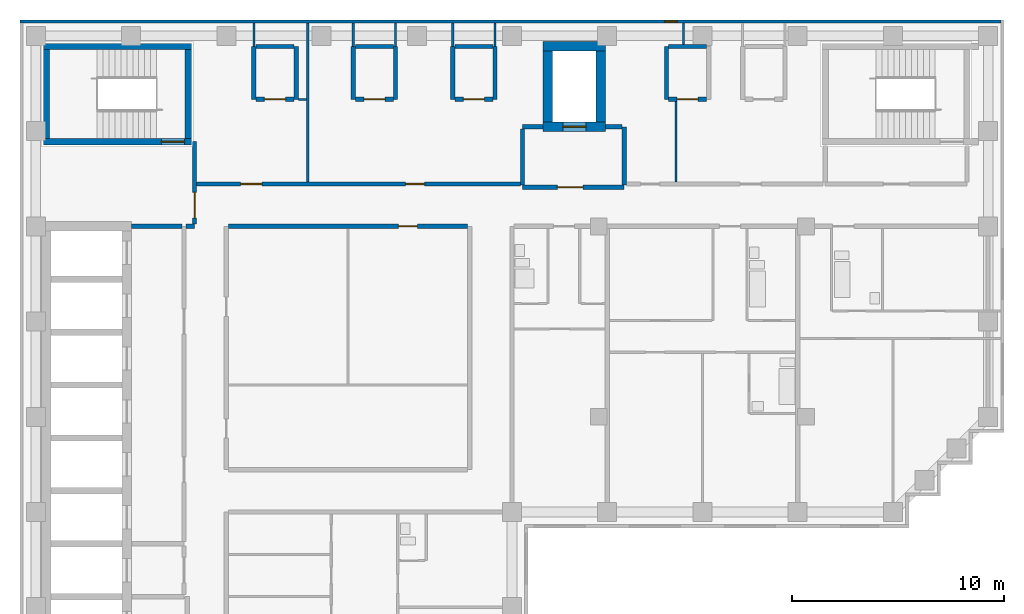
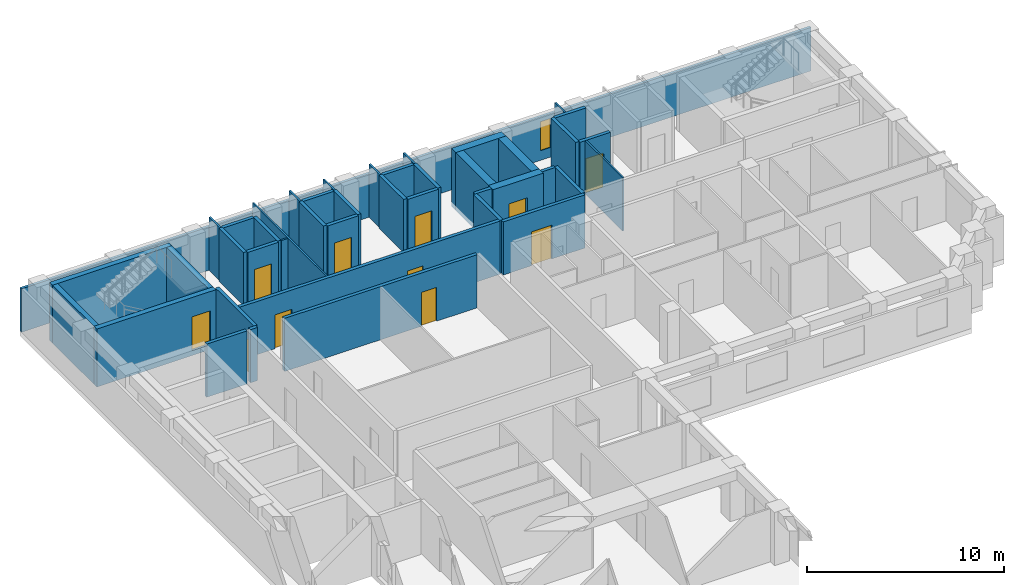
# One storey, part 5 of 8: 43 walls, 11 doors, 1 window, 12 openings.
"""IFC4 building model written with IfcOpenShell, lengths in metres."""

from ifc_helpers import new_model, si_unit, direction, frame, frame_2d, origin, place, context, subcontext, project, spatial, rectangle, extrude, material, layer, layer_set, type_object, element, fill, save


model = new_model("IFC4")

# Units and contexts
model_context = context("Model", 3, precision=1e-05, world=origin(), true_north=direction((0.0, 1.0)))
body_context = subcontext(model_context, "Body", "Model", "MODEL_VIEW")
ifc_project = project(units=[si_unit("LENGTHUNIT", "METRE"), si_unit("AREAUNIT", "SQUARE_METRE"), si_unit("VOLUMEUNIT", "CUBIC_METRE"), si_unit("PLANEANGLEUNIT", "RADIAN"), si_unit("MASSUNIT", "GRAM", prefix="KILO")], contexts=[model_context])

# Site, building, storey
site_placement = place(None, origin())
site = spatial("IfcSite", under=ifc_project, at=site_placement, CompositionType="ELEMENT")
building_placement = place(site_placement, origin())
building = spatial("IfcBuilding", under=site, at=building_placement, Name="Firuza Court", CompositionType="ELEMENT")
storey_placement = place(building_placement, frame((0.0, 0.0, 251.0)))
storey = spatial("IfcBuildingStorey", under=building, at=storey_placement, Name="L65", CompositionType="ELEMENT", Elevation=251.0)

# Wall, opening, door
ifc_material_1 = material(Name="Concrete C50/60", Category="concrete")
ifc_layer_1 = layer(ifc_material_1, 0.300048828125)
ifc_layer_set_1 = layer_set([ifc_layer_1], Name="Concrete C50/60")
wall_type_1 = type_object("IfcWallType", Name="Core wall 300 C50/60", PredefinedType="SHEAR", material=ifc_layer_set_1)
wall_1_placement = place(storey_placement, frame((0.35009765625, 53.5, -0.300048828125), z_axis=(0.0, 0.0, 1.0), x_axis=(1.0, 0.0, 0.0)))
wall_1 = element("IfcWall", 1, at=wall_1_placement, inside=storey, type_object=wall_type_1, Name="Core wall stair L65", PredefinedType="SHEAR", context=body_context, shape_type="SweptSolid", body=[
    extrude(rectangle(XDim=7.0, YDim=0.300048828125, at=frame_2d((3.5, 0.0))), origin(), (0.0, 0.0, 1.0), 3.60009765625),
])
opening_1_placement = place(wall_1_placement, frame((5.580078125, 0.0, 0.300048828125)))
opening_1 = element("IfcOpeningElement", 2, at=opening_1_placement, cuts=wall_1, Name="Opening D65011", PredefinedType="OPENING", context=body_context, shape_type="SweptSolid", body=[
    extrude(rectangle(XDim=1.10009765625, YDim=2.10009765625, at=frame_2d((0.550048828125, 1.050048828125))), frame((0.0, 0.162109375, 0.0), z_axis=(0.0, -1.0, 0.0), x_axis=(1.0, 0.0, 0.0)), (0.0, 0.0, 1.0), 0.323974609375),
])
ifc_material_2 = material(Name="Timber door leaf in hardwood frame", Category="wood")
door_type_1 = type_object("IfcDoorType", Name="Stair door 1100", OperationType="SINGLE_SWING_LEFT", PredefinedType="DOOR", material=ifc_material_2)
door_1_placement = place(opening_1_placement, origin())
door_1 = element("IfcDoor", 3, at=door_1_placement, inside=storey, type_object=door_type_1, Name="Stair door S3", OperationType="SINGLE_SWING_RIGHT", OverallHeight=2.10009765625, OverallWidth=1.10009765625, PredefinedType="DOOR", context=body_context, shape_type="SweptSolid", body=[
    extrude(rectangle(XDim=1.10009765625, YDim=2.10009765625, at=frame_2d((0.550048828125, 1.050048828125))), frame((0.0, 0.02490234375, 0.0), z_axis=(0.0, -1.0, 0.0), x_axis=(1.0, 0.0, 0.0)), (0.0, 0.0, 1.0), 0.050048828125),
])
fill(opening_1, door_1)

# Walls
wall_2_placement = place(storey_placement, frame((0.35009765625, 58.0, -0.300048828125), z_axis=(0.0, 0.0, 1.0), x_axis=(1.0, 0.0, 0.0)))
element("IfcWall", 4, at=wall_2_placement, inside=storey, type_object=wall_type_1, Name="Core wall stair L65", PredefinedType="SHEAR", context=body_context, shape_type="SweptSolid", body=[
    extrude(rectangle(XDim=7.0, YDim=0.300048828125, at=frame_2d((3.5, 0.0))), origin(), (0.0, 0.0, 1.0), 3.60009765625),
])
for number, where, z_axis, x_axis, name in (
    (5, (0.5, 53.64990234375, -0.300048828125), (0.0, 0.0, 1.0), (0.0, 1.0, 0.0), "Core wall stair L65"),
    (6, (7.199951171875, 53.64990234375, -0.300048828125), (0.0, 0.0, 1.0), (0.0, 1.0, 0.0), "Core wall stair L65"),
):
    element("IfcWall", number, at=place(storey_placement, frame(where, z_axis=z_axis, x_axis=x_axis)), inside=storey, type_object=wall_type_1, Name=name, PredefinedType="SHEAR", context=body_context, shape_type="SweptSolid", body=[
        extrude(rectangle(XDim=4.2001953125, YDim=0.300048828125, at=frame_2d((2.10009765625, 0.0))), origin(), (0.0, 0.0, 1.0), 3.60009765625),
    ])

# Wall, opening, door
ifc_layer_2 = layer(ifc_material_1, 0.449951171875)
ifc_layer_set_2 = layer_set([ifc_layer_2], Name="Concrete C50/60")
wall_type_2 = type_object("IfcWallType", Name="Core wall 450 C50/60", PredefinedType="SHEAR", material=ifc_layer_set_2)
wall_3_placement = place(storey_placement, frame((23.97509765625, 54.199951171875, -0.300048828125), z_axis=(0.0, 0.0, 1.0), x_axis=(1.0, 0.0, 0.0)))
wall_3 = element("IfcWall", 7, at=wall_3_placement, inside=storey, type_object=wall_type_2, Name="Core wall lift shaft L65", PredefinedType="SHEAR", context=body_context, shape_type="SweptSolid", body=[
    extrude(rectangle(XDim=2.949951171875, YDim=0.449951171875, at=frame_2d((1.47509765625, 0.0))), origin(), (0.0, 0.0, 1.0), 3.60009765625),
])
opening_2_placement = place(wall_3_placement, frame((0.925048828125, 0.0, 0.300048828125)))
opening_2 = element("IfcOpeningElement", 8, at=opening_2_placement, cuts=wall_3, Name="Opening LD-FL3-65", PredefinedType="OPENING", context=body_context, shape_type="SweptSolid", body=[
    extrude(rectangle(XDim=1.10009765625, YDim=2.10009765625, at=frame_2d((0.550048828125, 1.050048828125))), frame((0.0, 0.23681640625, 0.0), z_axis=(0.0, -1.0, 0.0), x_axis=(1.0, 0.0, 0.0)), (0.0, 0.0, 1.0), 0.473876953125),
])
ifc_material_3 = material(Name="Stainless steel 1.4301 door leaf", Category="steel")
door_type_2 = type_object("IfcDoorType", Name="Lift landing door 1100", OperationType="SLIDING_TO_LEFT", PredefinedType="DOOR", material=ifc_material_3)
door_2_placement = place(opening_2_placement, origin())
door_2 = element("IfcDoor", 9, at=door_2_placement, inside=storey, type_object=door_type_2, Name="Landing door FL3", OperationType="SLIDING_TO_LEFT", OverallHeight=2.10009765625, OverallWidth=1.10009765625, PredefinedType="DOOR", context=body_context, shape_type="SweptSolid", body=[
    extrude(rectangle(XDim=1.10009765625, YDim=2.10009765625, at=frame_2d((0.550048828125, 1.050048828125))), frame((0.0, 0.02490234375, 0.0), z_axis=(0.0, -1.0, 0.0), x_axis=(1.0, 0.0, 0.0)), (0.0, 0.0, 1.0), 0.050048828125),
])
fill(opening_2, door_2)

# Walls
wall_4_placement = place(storey_placement, frame((23.97509765625, 58.0, -0.300048828125), z_axis=(0.0, 0.0, 1.0), x_axis=(1.0, 0.0, 0.0)))
element("IfcWall", 10, at=wall_4_placement, inside=storey, type_object=wall_type_2, Name="Core wall lift shaft L65", PredefinedType="SHEAR", context=body_context, shape_type="SweptSolid", body=[
    extrude(rectangle(XDim=2.949951171875, YDim=0.449951171875, at=frame_2d((1.47509765625, 0.0))), origin(), (0.0, 0.0, 1.0), 3.60009765625),
])
for number, where, z_axis, x_axis, name in (
    (11, (24.199951171875, 54.425048828125, -0.300048828125), (0.0, 0.0, 1.0), (0.0, 1.0, 0.0), "Core wall lift shaft L65"),
    (12, (26.699951171875, 54.425048828125, -0.300048828125), (0.0, 0.0, 1.0), (0.0, 1.0, 0.0), "Core wall lift shaft L65"),
):
    element("IfcWall", number, at=place(storey_placement, frame(where, z_axis=z_axis, x_axis=x_axis)), inside=storey, type_object=wall_type_2, Name=name, PredefinedType="SHEAR", context=body_context, shape_type="SweptSolid", body=[
        extrude(rectangle(XDim=3.349853515625, YDim=0.449951171875, at=frame_2d((1.6748046875, 0.0))), origin(), (0.0, 0.0, 1.0), 3.60009765625),
    ])

# Wall, opening, door
ifc_material_4 = material(Name="Blockwork, plastered both sides", Category="masonry")
ifc_layer_3 = layer(ifc_material_4, 0.199951171875)
ifc_layer_set_3 = layer_set([ifc_layer_3], Name="Blockwork, plastered both sides")
wall_type_3 = type_object("IfcWallType", Name="Corridor wall 200", PredefinedType="PARTITIONING", material=ifc_layer_set_3)
wall_5_placement = place(storey_placement, frame((9.10009765625, 49.5, 0.0), z_axis=(0.0, 0.0, 1.0), x_axis=(1.0, 0.0, 0.0)))
wall_5 = element("IfcWall", 13, at=wall_5_placement, inside=storey, type_object=wall_type_3, Name="Corridor wall 200 L65", PredefinedType="PARTITIONING", context=body_context, shape_type="SweptSolid", body=[
    extrude(rectangle(XDim=11.2998046875, YDim=0.199951171875, at=frame_2d((5.64990234375, 0.0))), origin(), (0.0, 0.0, 1.0), 3.300048828125),
])
opening_3_placement = place(wall_5_placement, frame((8.02490234375, 0.0, 0.0)))
opening_3 = element("IfcOpeningElement", 14, at=opening_3_placement, cuts=wall_5, Name="Opening D65039", PredefinedType="OPENING", context=body_context, shape_type="SweptSolid", body=[
    extrude(rectangle(XDim=0.89990234375, YDim=2.10009765625, at=frame_2d((0.449951171875, 1.050048828125))), frame((0.0, 0.11181640625, 0.0), z_axis=(0.0, -1.0, 0.0), x_axis=(1.0, 0.0, 0.0)), (0.0, 0.0, 1.0), 0.223876953125),
])
ifc_material_5 = material(Name="Timber door leaf in hardwood frame", Category="wood")
door_type_3 = type_object("IfcDoorType", Name="Room door 900 EI 30", OperationType="SINGLE_SWING_LEFT", PredefinedType="DOOR", material=ifc_material_5)
door_3_placement = place(opening_3_placement, frame((0.89990234375, 0.0, 0.0), z_axis=(0.0, 0.0, 1.0), x_axis=(-1.0, 0.0, 0.0)))
door_3 = element("IfcDoor", 15, at=door_3_placement, inside=storey, type_object=door_type_3, Name="Library door", OperationType="SINGLE_SWING_RIGHT", OverallHeight=2.10009765625, OverallWidth=0.89990234375, PredefinedType="DOOR", context=body_context, shape_type="SweptSolid", body=[
    extrude(rectangle(XDim=0.89990234375, YDim=2.10009765625, at=frame_2d((0.449951171875, 1.050048828125))), frame((0.0, 0.02490234375, 0.0), z_axis=(0.0, -1.0, 0.0), x_axis=(1.0, 0.0, 0.0)), (0.0, 0.0, 1.0), 0.050048828125),
])
fill(opening_3, door_3)

# Wall, openings, doors
wall_6_placement = place(storey_placement, frame((7.60009765625, 51.5, 0.0), z_axis=(0.0, 0.0, 1.0), x_axis=(1.0, 0.0, 0.0)))
wall_6 = element("IfcWall", 16, at=wall_6_placement, inside=storey, type_object=wall_type_3, Name="Corridor wall 200 L65", PredefinedType="PARTITIONING", context=body_context, shape_type="SweptSolid", body=[
    extrude(rectangle(XDim=15.2998046875, YDim=0.199951171875, at=frame_2d((7.64990234375, 0.0))), origin(), (0.0, 0.0, 1.0), 3.300048828125),
])
opening_4_placement = place(wall_6_placement, frame((2.074951171875, 0.0, 0.0)))
opening_4 = element("IfcOpeningElement", 17, at=opening_4_placement, cuts=wall_6, Name="Opening D65043", PredefinedType="OPENING", context=body_context, shape_type="SweptSolid", body=[
    extrude(rectangle(XDim=1.0, YDim=2.10009765625, at=frame_2d((0.5, 1.050048828125))), frame((0.0, 0.11181640625, 0.0), z_axis=(0.0, -1.0, 0.0), x_axis=(1.0, 0.0, 0.0)), (0.0, 0.0, 1.0), 0.223876953125),
])
opening_5_placement = place(wall_6_placement, frame((9.875, 0.0, 0.0)))
opening_5 = element("IfcOpeningElement", 18, at=opening_5_placement, cuts=wall_6, Name="Opening D65044", PredefinedType="OPENING", context=body_context, shape_type="SweptSolid", body=[
    extrude(rectangle(XDim=0.89990234375, YDim=2.10009765625, at=frame_2d((0.449951171875, 1.050048828125))), frame((0.0, 0.11181640625, 0.0), z_axis=(0.0, -1.0, 0.0), x_axis=(1.0, 0.0, 0.0)), (0.0, 0.0, 1.0), 0.223876953125),
])
door_4_placement = place(opening_5_placement, origin())
door_4 = element("IfcDoor", 19, at=door_4_placement, inside=storey, type_object=door_type_3, Name="Residents' workroom door", OperationType="SINGLE_SWING_LEFT", OverallHeight=2.10009765625, OverallWidth=0.89990234375, PredefinedType="DOOR", context=body_context, shape_type="SweptSolid", body=[
    extrude(rectangle(XDim=0.89990234375, YDim=2.10009765625, at=frame_2d((0.449951171875, 1.050048828125))), frame((0.0, 0.02490234375, 0.0), z_axis=(0.0, -1.0, 0.0), x_axis=(1.0, 0.0, 0.0)), (0.0, 0.0, 1.0), 0.050048828125),
])
fill(opening_5, door_4)
ifc_material_6 = material(Name="Timber door leaf in hardwood frame", Category="wood")
door_type_4 = type_object("IfcDoorType", Name="Store door 1000", OperationType="SINGLE_SWING_LEFT", PredefinedType="DOOR", material=ifc_material_6)
door_5_placement = place(opening_4_placement, origin())
door_5 = element("IfcDoor", 20, at=door_5_placement, inside=storey, type_object=door_type_4, Name="Valet store door", OperationType="SINGLE_SWING_LEFT", OverallHeight=2.10009765625, OverallWidth=1.0, PredefinedType="DOOR", context=body_context, shape_type="SweptSolid", body=[
    extrude(rectangle(XDim=1.0, YDim=2.10009765625, at=frame_2d((0.5, 1.050048828125))), frame((0.0, 0.02490234375, 0.0), z_axis=(0.0, -1.0, 0.0), x_axis=(1.0, 0.0, 0.0)), (0.0, 0.0, 1.0), 0.050048828125),
])
fill(opening_4, door_5)

# Walls
ifc_material_7 = material(Name="Timber stud partition, plasterboard both sides", Category="wood")
ifc_layer_4 = layer(ifc_material_7, 0.10009765625)
ifc_layer_set_4 = layer_set([ifc_layer_4], Name="Timber stud partition, plasterboard both sides")
wall_type_4 = type_object("IfcWallType", Name="Partition wall 100", PredefinedType="PARTITIONING", material=ifc_layer_set_4)
wall_7_placement = place(storey_placement, frame((12.85009765625, 51.60009765625, 0.0), z_axis=(0.0, 0.0, 1.0), x_axis=(0.0, 1.0, 0.0)))
element("IfcWall", 21, at=wall_7_placement, inside=storey, type_object=wall_type_4, Name="Partition wall 100 L65", PredefinedType="PARTITIONING", context=body_context, shape_type="SweptSolid", body=[
    extrude(rectangle(XDim=7.5, YDim=0.10009765625, at=frame_2d((3.75, 0.0))), origin(), (0.0, 0.0, 1.0), 3.300048828125),
])
wall_8_placement = place(storey_placement, frame((30.25, 51.60009765625, 0.0), z_axis=(0.0, 0.0, 1.0), x_axis=(0.0, 1.0, 0.0)))
element("IfcWall", 22, at=wall_8_placement, inside=storey, type_object=wall_type_4, Name="Partition wall 100 L65", PredefinedType="PARTITIONING", context=body_context, shape_type="SweptSolid", body=[
    extrude(rectangle(XDim=3.7998046875, YDim=0.10009765625, at=frame_2d((1.89990234375, 0.0))), origin(), (0.0, 0.0, 1.0), 3.300048828125),
])
wall_9_placement = place(storey_placement, frame((12.39990234375, 55.5, 0.0), z_axis=(0.0, 0.0, 1.0), x_axis=(1.0, 0.0, 0.0)))
element("IfcWall", 23, at=wall_9_placement, inside=storey, type_object=wall_type_4, Name="Partition wall 100 L65", PredefinedType="PARTITIONING", context=body_context, shape_type="SweptSolid", body=[
    extrude(rectangle(XDim=0.400146484375, YDim=0.10009765625, at=frame_2d((0.2001953125, 0.0))), origin(), (0.0, 0.0, 1.0), 3.300048828125),
])
for number, where, z_axis, x_axis, name in (
    (24, (10.300048828125, 58.0, 0.0), (0.0, 0.0, 1.0), (0.0, 1.0, 0.0), "Partition wall 100 L65"),
    (25, (15.0, 58.0, 0.0), (0.0, 0.0, 1.0), (0.0, 1.0, 0.0), "Partition wall 100 L65"),
    (26, (17.0, 58.0, 0.0), (0.0, 0.0, 1.0), (0.0, 1.0, 0.0), "Partition wall 100 L65"),
    (27, (19.699951171875, 58.0, 0.0), (0.0, 0.0, 1.0), (0.0, 1.0, 0.0), "Partition wall 100 L65"),
    (28, (21.699951171875, 58.0, 0.0), (0.0, 0.0, 1.0), (0.0, 1.0, 0.0), "Partition wall 100 L65"),
):
    element("IfcWall", number, at=place(storey_placement, frame(where, z_axis=z_axis, x_axis=x_axis)), inside=storey, type_object=wall_type_4, Name=name, PredefinedType="PARTITIONING", context=body_context, shape_type="SweptSolid", body=[
        extrude(rectangle(XDim=1.10009765625, YDim=0.10009765625, at=frame_2d((0.550048828125, 0.0))), origin(), (0.0, 0.0, 1.0), 3.300048828125),
    ])
wall_10_placement = place(storey_placement, frame((30.60009765625, 58.10009765625, 0.0), z_axis=(0.0, 0.0, 1.0), x_axis=(0.0, 1.0, 0.0)))
element("IfcWall", 29, at=wall_10_placement, inside=storey, type_object=wall_type_4, Name="Partition wall 100 L65", PredefinedType="PARTITIONING", context=body_context, shape_type="SweptSolid", body=[
    extrude(rectangle(XDim=1.0, YDim=0.10009765625, at=frame_2d((0.5, 0.0))), origin(), (0.0, 0.0, 1.0), 3.300048828125),
])
ifc_material_8 = material(Name="Blockwork, fire-rated", Category="masonry")
ifc_layer_5 = layer(ifc_material_8, 0.199951171875)
ifc_layer_set_5 = layer_set([ifc_layer_5], Name="Blockwork, fire-rated")
wall_type_5 = type_object("IfcWallType", Name="Plant room wall 200", PredefinedType="PARTITIONING", material=ifc_layer_set_5)
wall_11_placement = place(storey_placement, frame((10.300048828125, 55.5, 0.0), z_axis=(0.0, 0.0, 1.0), x_axis=(0.0, 1.0, 0.0)))
element("IfcWall", 30, at=wall_11_placement, inside=storey, type_object=wall_type_5, Name="Plant room wall 200 L65", PredefinedType="PARTITIONING", context=body_context, shape_type="SweptSolid", body=[
    extrude(rectangle(XDim=2.5, YDim=0.199951171875, at=frame_2d((1.25, 0.0))), origin(), (0.0, 0.0, 1.0), 3.300048828125),
])

# Wall, opening, door
wall_12_placement = place(storey_placement, frame((10.39990234375, 55.5, 0.0), z_axis=(0.0, 0.0, 1.0), x_axis=(1.0, 0.0, 0.0)))
wall_12 = element("IfcWall", 31, at=wall_12_placement, inside=storey, type_object=wall_type_5, Name="Plant room wall 200 L65", PredefinedType="PARTITIONING", context=body_context, shape_type="SweptSolid", body=[
    extrude(rectangle(XDim=1.800048828125, YDim=0.199951171875, at=frame_2d((0.89990234375, 0.0))), origin(), (0.0, 0.0, 1.0), 3.300048828125),
])
opening_6_placement = place(wall_12_placement, frame((0.39990234375, 0.0, 0.0)))
opening_6 = element("IfcOpeningElement", 32, at=opening_6_placement, cuts=wall_12, Name="Opening D65047", PredefinedType="OPENING", context=body_context, shape_type="SweptSolid", body=[
    extrude(rectangle(XDim=1.0, YDim=2.10009765625, at=frame_2d((0.5, 1.050048828125))), frame((0.0, 0.11181640625, 0.0), z_axis=(0.0, -1.0, 0.0), x_axis=(1.0, 0.0, 0.0)), (0.0, 0.0, 1.0), 0.223876953125),
])
ifc_material_9 = material(Name="Timber door leaf in hardwood frame", Category="wood")
door_type_5 = type_object("IfcDoorType", Name="Riser door 1000", OperationType="SINGLE_SWING_LEFT", PredefinedType="DOOR", material=ifc_material_9)
door_6_placement = place(opening_6_placement, origin())
door_6 = element("IfcDoor", 33, at=door_6_placement, inside=storey, type_object=door_type_5, Name="Comms riser door", OperationType="SINGLE_SWING_LEFT", OverallHeight=2.10009765625, OverallWidth=1.0, PredefinedType="DOOR", context=body_context, shape_type="SweptSolid", body=[
    extrude(rectangle(XDim=1.0, YDim=2.10009765625, at=frame_2d((0.5, 1.050048828125))), frame((0.0, 0.02490234375, 0.0), z_axis=(0.0, -1.0, 0.0), x_axis=(1.0, 0.0, 0.0)), (0.0, 0.0, 1.0), 0.050048828125),
])
fill(opening_6, door_6)

# Walls
for number, where, z_axis, x_axis, name in (
    (34, (12.300048828125, 55.5, 0.0), (0.0, 0.0, 1.0), (0.0, 1.0, 0.0), "Plant room wall 200 L65"),
    (35, (15.0, 55.5, 0.0), (0.0, 0.0, 1.0), (0.0, 1.0, 0.0), "Plant room wall 200 L65"),
):
    element("IfcWall", number, at=place(storey_placement, frame(where, z_axis=z_axis, x_axis=x_axis)), inside=storey, type_object=wall_type_5, Name=name, PredefinedType="PARTITIONING", context=body_context, shape_type="SweptSolid", body=[
        extrude(rectangle(XDim=2.5, YDim=0.199951171875, at=frame_2d((1.25, 0.0))), origin(), (0.0, 0.0, 1.0), 3.300048828125),
    ])

# Wall, opening, door
wall_13_placement = place(storey_placement, frame((15.10009765625, 55.5, 0.0), z_axis=(0.0, 0.0, 1.0), x_axis=(1.0, 0.0, 0.0)))
wall_13 = element("IfcWall", 36, at=wall_13_placement, inside=storey, type_object=wall_type_5, Name="Plant room wall 200 L65", PredefinedType="PARTITIONING", context=body_context, shape_type="SweptSolid", body=[
    extrude(rectangle(XDim=1.7998046875, YDim=0.199951171875, at=frame_2d((0.89990234375, 0.0))), origin(), (0.0, 0.0, 1.0), 3.300048828125),
])
opening_7_placement = place(wall_13_placement, frame((0.39990234375, 0.0, 0.0)))
opening_7 = element("IfcOpeningElement", 37, at=opening_7_placement, cuts=wall_13, Name="Opening D65048", PredefinedType="OPENING", context=body_context, shape_type="SweptSolid", body=[
    extrude(rectangle(XDim=1.0, YDim=2.10009765625, at=frame_2d((0.5, 1.050048828125))), frame((0.0, 0.11181640625, 0.0), z_axis=(0.0, -1.0, 0.0), x_axis=(1.0, 0.0, 0.0)), (0.0, 0.0, 1.0), 0.223876953125),
])
door_7_placement = place(opening_7_placement, origin())
door_7 = element("IfcDoor", 38, at=door_7_placement, inside=storey, type_object=door_type_5, Name="Electrical riser door", OperationType="SINGLE_SWING_LEFT", OverallHeight=2.10009765625, OverallWidth=1.0, PredefinedType="DOOR", context=body_context, shape_type="SweptSolid", body=[
    extrude(rectangle(XDim=1.0, YDim=2.10009765625, at=frame_2d((0.5, 1.050048828125))), frame((0.0, 0.02490234375, 0.0), z_axis=(0.0, -1.0, 0.0), x_axis=(1.0, 0.0, 0.0)), (0.0, 0.0, 1.0), 0.050048828125),
])
fill(opening_7, door_7)

# Walls
for number, where, z_axis, x_axis, name in (
    (39, (17.0, 55.5, 0.0), (0.0, 0.0, 1.0), (0.0, 1.0, 0.0), "Plant room wall 200 L65"),
    (40, (19.699951171875, 55.5, 0.0), (0.0, 0.0, 1.0), (0.0, 1.0, 0.0), "Plant room wall 200 L65"),
):
    element("IfcWall", number, at=place(storey_placement, frame(where, z_axis=z_axis, x_axis=x_axis)), inside=storey, type_object=wall_type_5, Name=name, PredefinedType="PARTITIONING", context=body_context, shape_type="SweptSolid", body=[
        extrude(rectangle(XDim=2.5, YDim=0.199951171875, at=frame_2d((1.25, 0.0))), origin(), (0.0, 0.0, 1.0), 3.300048828125),
    ])

# Wall, opening, door
wall_14_placement = place(storey_placement, frame((19.800048828125, 55.5, 0.0), z_axis=(0.0, 0.0, 1.0), x_axis=(1.0, 0.0, 0.0)))
wall_14 = element("IfcWall", 41, at=wall_14_placement, inside=storey, type_object=wall_type_5, Name="Plant room wall 200 L65", PredefinedType="PARTITIONING", context=body_context, shape_type="SweptSolid", body=[
    extrude(rectangle(XDim=1.800048828125, YDim=0.199951171875, at=frame_2d((0.89990234375, 0.0))), origin(), (0.0, 0.0, 1.0), 3.300048828125),
])
opening_8_placement = place(wall_14_placement, frame((0.39990234375, 0.0, 0.0)))
opening_8 = element("IfcOpeningElement", 42, at=opening_8_placement, cuts=wall_14, Name="Opening D65049", PredefinedType="OPENING", context=body_context, shape_type="SweptSolid", body=[
    extrude(rectangle(XDim=1.0, YDim=2.10009765625, at=frame_2d((0.5, 1.050048828125))), frame((0.0, 0.11181640625, 0.0), z_axis=(0.0, -1.0, 0.0), x_axis=(1.0, 0.0, 0.0)), (0.0, 0.0, 1.0), 0.223876953125),
])
door_8_placement = place(opening_8_placement, origin())
door_8 = element("IfcDoor", 43, at=door_8_placement, inside=storey, type_object=door_type_5, Name="Duct riser door", OperationType="SINGLE_SWING_LEFT", OverallHeight=2.10009765625, OverallWidth=1.0, PredefinedType="DOOR", context=body_context, shape_type="SweptSolid", body=[
    extrude(rectangle(XDim=1.0, YDim=2.10009765625, at=frame_2d((0.5, 1.050048828125))), frame((0.0, 0.02490234375, 0.0), z_axis=(0.0, -1.0, 0.0), x_axis=(1.0, 0.0, 0.0)), (0.0, 0.0, 1.0), 0.050048828125),
])
fill(opening_8, door_8)

# Walls
for number, where, z_axis, x_axis, name in (
    (44, (21.699951171875, 55.5, 0.0), (0.0, 0.0, 1.0), (0.0, 1.0, 0.0), "Plant room wall 200 L65"),
    (45, (29.800048828125, 55.5, 0.0), (0.0, 0.0, 1.0), (0.0, 1.0, 0.0), "Plant room wall 200 L65"),
):
    element("IfcWall", number, at=place(storey_placement, frame(where, z_axis=z_axis, x_axis=x_axis)), inside=storey, type_object=wall_type_5, Name=name, PredefinedType="PARTITIONING", context=body_context, shape_type="SweptSolid", body=[
        extrude(rectangle(XDim=2.5, YDim=0.199951171875, at=frame_2d((1.25, 0.0))), origin(), (0.0, 0.0, 1.0), 3.300048828125),
    ])

# Wall, opening, door
wall_15_placement = place(storey_placement, frame((29.89990234375, 55.5, 0.0), z_axis=(0.0, 0.0, 1.0), x_axis=(1.0, 0.0, 0.0)))
wall_15 = element("IfcWall", 46, at=wall_15_placement, inside=storey, type_object=wall_type_5, Name="Plant room wall 200 L65", PredefinedType="PARTITIONING", context=body_context, shape_type="SweptSolid", body=[
    extrude(rectangle(XDim=1.800048828125, YDim=0.199951171875, at=frame_2d((0.89990234375, 0.0))), origin(), (0.0, 0.0, 1.0), 3.300048828125),
])
opening_9_placement = place(wall_15_placement, frame((0.39990234375, 0.0, 0.0)))
opening_9 = element("IfcOpeningElement", 47, at=opening_9_placement, cuts=wall_15, Name="Opening D65050", PredefinedType="OPENING", context=body_context, shape_type="SweptSolid", body=[
    extrude(rectangle(XDim=1.0, YDim=2.10009765625, at=frame_2d((0.5, 1.050048828125))), frame((0.0, 0.11181640625, 0.0), z_axis=(0.0, -1.0, 0.0), x_axis=(1.0, 0.0, 0.0)), (0.0, 0.0, 1.0), 0.223876953125),
])
door_9_placement = place(opening_9_placement, origin())
door_9 = element("IfcDoor", 48, at=door_9_placement, inside=storey, type_object=door_type_5, Name="Electrical riser door", OperationType="SINGLE_SWING_LEFT", OverallHeight=2.10009765625, OverallWidth=1.0, PredefinedType="DOOR", context=body_context, shape_type="SweptSolid", body=[
    extrude(rectangle(XDim=1.0, YDim=2.10009765625, at=frame_2d((0.5, 1.050048828125))), frame((0.0, 0.02490234375, 0.0), z_axis=(0.0, -1.0, 0.0), x_axis=(1.0, 0.0, 0.0)), (0.0, 0.0, 1.0), 0.050048828125),
])
fill(opening_9, door_9)

# Walls
wall_16_placement = place(storey_placement, frame((10.39990234375, 58.0, 0.0), z_axis=(0.0, 0.0, 1.0), x_axis=(1.0, 0.0, 0.0)))
element("IfcWall", 49, at=wall_16_placement, inside=storey, type_object=wall_type_5, Name="Plant room wall 200 L65", PredefinedType="PARTITIONING", context=body_context, shape_type="SweptSolid", body=[
    extrude(rectangle(XDim=1.800048828125, YDim=0.199951171875, at=frame_2d((0.89990234375, 0.0))), origin(), (0.0, 0.0, 1.0), 3.300048828125),
])
wall_17_placement = place(storey_placement, frame((15.10009765625, 58.0, 0.0), z_axis=(0.0, 0.0, 1.0), x_axis=(1.0, 0.0, 0.0)))
element("IfcWall", 50, at=wall_17_placement, inside=storey, type_object=wall_type_5, Name="Plant room wall 200 L65", PredefinedType="PARTITIONING", context=body_context, shape_type="SweptSolid", body=[
    extrude(rectangle(XDim=1.7998046875, YDim=0.199951171875, at=frame_2d((0.89990234375, 0.0))), origin(), (0.0, 0.0, 1.0), 3.300048828125),
])
for number, where, z_axis, x_axis, name in (
    (51, (19.800048828125, 58.0, 0.0), (0.0, 0.0, 1.0), (1.0, 0.0, 0.0), "Plant room wall 200 L65"),
    (52, (29.89990234375, 58.0, 0.0), (0.0, 0.0, 1.0), (1.0, 0.0, 0.0), "Plant room wall 200 L65"),
):
    element("IfcWall", number, at=place(storey_placement, frame(where, z_axis=z_axis, x_axis=x_axis)), inside=storey, type_object=wall_type_5, Name=name, PredefinedType="PARTITIONING", context=body_context, shape_type="SweptSolid", body=[
        extrude(rectangle(XDim=1.800048828125, YDim=0.199951171875, at=frame_2d((0.89990234375, 0.0))), origin(), (0.0, 0.0, 1.0), 3.300048828125),
    ])

# Wall, opening, window
ifc_material_10 = material(Name="Ceramic tile", Category="ceramic")
ifc_layer_6 = layer(ifc_material_10, 0.02001953125)
ifc_material_11 = material(Name="Mineral wool insulation", Category="insulation")
ifc_layer_7 = layer(ifc_material_11, 0.050048828125)
ifc_material_12 = material(Name="Concrete C40/50 precast", Category="concrete")
ifc_layer_8 = layer(ifc_material_12, 0.080078125)
ifc_layer_set_6 = layer_set([ifc_layer_6, ifc_layer_7, ifc_layer_8], Name="Concrete C40/50 precast")
wall_type_6 = type_object("IfcWallType", Name="Precast cladding wall with turquoise TILE PANEL face 150", PredefinedType="STANDARD", material=ifc_layer_set_6)
wall_18_placement = place(storey_placement, frame((45.60009765625, 59.175048828125, 0.0), z_axis=(0.0, 0.0, 1.0), x_axis=(-1.0, 0.0, 0.0)))
wall_18 = element("IfcWall", 53, at=wall_18_placement, inside=storey, type_object=wall_type_6, Name="Facade wall L65 N", PredefinedType="STANDARD", context=body_context, shape_type="SweptSolid", body=[
    extrude(rectangle(XDim=46.35009765625, YDim=0.14990234375, at=frame_2d((23.175048828125, 0.0))), origin(), (0.0, 0.0, 1.0), 2.699951171875),
])
opening_10_placement = place(wall_18_placement, frame((15.287109375, 0.0, 0.60009765625)))
opening_10 = element("IfcOpeningElement", 54, at=opening_10_placement, cuts=wall_18, Name="Opening W4", PredefinedType="OPENING", context=body_context, shape_type="SweptSolid", body=[
    extrude(rectangle(XDim=0.60009765625, YDim=1.800048828125, at=frame_2d((0.300048828125, 0.89990234375))), frame((0.0, 0.0869140625, 0.0), z_axis=(0.0, -1.0, 0.0), x_axis=(1.0, 0.0, 0.0)), (0.0, 0.0, 1.0), 0.173828125),
])
ifc_material_13 = material(Name="Aluminium frame, triple clear glazing", Category="aluminium")
window_type = type_object("IfcWindowType", Name="Window W4 600 x 1800", PartitioningType="SINGLE_PANEL", PredefinedType="WINDOW", material=ifc_material_13)
window_placement = place(opening_10_placement, origin())
window = element("IfcWindow", 55, at=window_placement, inside=storey, type_object=window_type, Name="Window L65", OverallHeight=1.800048828125, OverallWidth=0.60009765625, PartitioningType="SINGLE_PANEL", PredefinedType="WINDOW", context=body_context, shape_type="SweptSolid", body=[
    extrude(rectangle(XDim=0.60009765625, YDim=1.800048828125, at=frame_2d((0.300048828125, 0.89990234375))), frame((0.0, 0.030029296875, 0.0), z_axis=(0.0, -1.0, 0.0), x_axis=(1.0, 0.0, 0.0)), (0.0, 0.0, 1.0), 0.06005859375),
])
fill(opening_10, window)

# Wall
ifc_layer_9 = layer(ifc_material_8, 0.199951171875)
ifc_layer_set_7 = layer_set([ifc_layer_9], Name="Blockwork, fire-rated")
wall_type_7 = type_object("IfcWallType", Name="Shaft wall 200", PredefinedType="PARTITIONING", material=ifc_layer_set_7)
wall_19_placement = place(storey_placement, frame((4.52490234375, 49.5, 0.0), z_axis=(0.0, 0.0, 1.0), x_axis=(1.0, 0.0, 0.0)))
element("IfcWall", 56, at=wall_19_placement, inside=storey, type_object=wall_type_7, Name="Shaft wall 200 L65", PredefinedType="PARTITIONING", context=body_context, shape_type="SweptSolid", body=[
    extrude(rectangle(XDim=2.375, YDim=0.199951171875, at=frame_2d((1.1875, 0.0))), origin(), (0.0, 0.0, 1.0), 3.300048828125),
])

# Wall, opening, door
wall_20_placement = place(storey_placement, frame((23.0, 51.35009765625, 0.0), z_axis=(0.0, 0.0, 1.0), x_axis=(1.0, 0.0, 0.0)))
wall_20 = element("IfcWall", 57, at=wall_20_placement, inside=storey, type_object=wall_type_7, Name="Shaft wall 200 L65", PredefinedType="PARTITIONING", context=body_context, shape_type="SweptSolid", body=[
    extrude(rectangle(XDim=4.800048828125, YDim=0.199951171875, at=frame_2d((2.39990234375, 0.0))), origin(), (0.0, 0.0, 1.0), 3.300048828125),
])
opening_11_placement = place(wall_20_placement, frame((1.64990234375, 0.0, 0.0)))
opening_11 = element("IfcOpeningElement", 58, at=opening_11_placement, cuts=wall_20, Name="Opening D65003", PredefinedType="OPENING", context=body_context, shape_type="SweptSolid", body=[
    extrude(rectangle(XDim=1.199951171875, YDim=2.10009765625, at=frame_2d((0.60009765625, 1.050048828125))), frame((0.0, 0.11181640625, 0.0), z_axis=(0.0, -1.0, 0.0), x_axis=(1.0, 0.0, 0.0)), (0.0, 0.0, 1.0), 0.223876953125),
])
ifc_material_14 = material(Name="Timber door leaf in hardwood frame", Category="wood")
door_type_6 = type_object("IfcDoorType", Name="Lobby door 1200", OperationType="SINGLE_SWING_LEFT", PredefinedType="DOOR", material=ifc_material_14)
door_10_placement = place(opening_11_placement, origin())
door_10 = element("IfcDoor", 59, at=door_10_placement, inside=storey, type_object=door_type_6, Name="Fire-fighting lobby door", OperationType="SINGLE_SWING_LEFT", OverallHeight=2.10009765625, OverallWidth=1.199951171875, PredefinedType="DOOR", context=body_context, shape_type="SweptSolid", body=[
    extrude(rectangle(XDim=1.199951171875, YDim=2.10009765625, at=frame_2d((0.60009765625, 1.050048828125))), frame((0.0, 0.02490234375, 0.0), z_axis=(0.0, -1.0, 0.0), x_axis=(1.0, 0.0, 0.0)), (0.0, 0.0, 1.0), 0.050048828125),
])
fill(opening_11, door_10)

# Walls
wall_21_placement = place(storey_placement, frame((27.800048828125, 51.449951171875, 0.0), z_axis=(0.0, 0.0, 1.0), x_axis=(0.0, 1.0, 0.0)))
element("IfcWall", 60, at=wall_21_placement, inside=storey, type_object=wall_type_7, Name="Shaft wall 200 L65", PredefinedType="PARTITIONING", context=body_context, shape_type="SweptSolid", body=[
    extrude(rectangle(XDim=2.75, YDim=0.199951171875, at=frame_2d((1.375, 0.0))), origin(), (0.0, 0.0, 1.0), 3.300048828125),
])
wall_22_placement = place(storey_placement, frame((23.0, 54.199951171875, 0.0), z_axis=(0.0, 0.0, 1.0), x_axis=(1.0, 0.0, 0.0)))
element("IfcWall", 61, at=wall_22_placement, inside=storey, type_object=wall_type_7, Name="Shaft wall 200 L65", PredefinedType="PARTITIONING", context=body_context, shape_type="SweptSolid", body=[
    extrude(rectangle(XDim=0.97509765625, YDim=0.199951171875, at=frame_2d((0.487548828125, 0.0))), origin(), (0.0, 0.0, 1.0), 3.300048828125),
])
wall_23_placement = place(storey_placement, frame((26.925048828125, 54.199951171875, 0.0), z_axis=(0.0, 0.0, 1.0), x_axis=(1.0, 0.0, 0.0)))
element("IfcWall", 62, at=wall_23_placement, inside=storey, type_object=wall_type_7, Name="Shaft wall 200 L65", PredefinedType="PARTITIONING", context=body_context, shape_type="SweptSolid", body=[
    extrude(rectangle(XDim=0.77490234375, YDim=0.199951171875, at=frame_2d((0.387451171875, 0.0))), origin(), (0.0, 0.0, 1.0), 3.300048828125),
])
wall_24_placement = place(storey_placement, frame((23.0, 51.449951171875, 0.0), z_axis=(0.0, 0.0, 1.0), x_axis=(0.0, 1.0, 0.0)))
element("IfcWall", 63, at=wall_24_placement, inside=storey, type_object=wall_type_7, Name="Shaft wall 200 L65", PredefinedType="PARTITIONING", context=body_context, shape_type="SweptSolid", body=[
    extrude(rectangle(XDim=2.650146484375, YDim=0.199951171875, at=frame_2d((1.3251953125, 0.0))), origin(), (0.0, 0.0, 1.0), 3.300048828125),
])
wall_25_placement = place(storey_placement, frame((7.10009765625, 49.5, 0.0), z_axis=(0.0, 0.0, 1.0), x_axis=(1.0, 0.0, 0.0)))
element("IfcWall", 64, at=wall_25_placement, inside=storey, type_object=wall_type_7, Name="Shaft wall 200 L65", PredefinedType="PARTITIONING", context=body_context, shape_type="SweptSolid", body=[
    extrude(rectangle(XDim=0.39990234375, YDim=0.199951171875, at=frame_2d((0.199951171875, 0.0))), origin(), (0.0, 0.0, 1.0), 3.300048828125),
])

# Wall, opening, door
wall_26_placement = place(storey_placement, frame((7.5, 49.60009765625, 0.0), z_axis=(0.0, 0.0, 1.0), x_axis=(0.0, 1.0, 0.0)))
wall_26 = element("IfcWall", 65, at=wall_26_placement, inside=storey, type_object=wall_type_7, Name="Shaft wall 200 L65", PredefinedType="PARTITIONING", context=body_context, shape_type="SweptSolid", body=[
    extrude(rectangle(XDim=3.89990234375, YDim=0.199951171875, at=frame_2d((1.949951171875, 0.0))), origin(), (0.0, 0.0, 1.0), 3.300048828125),
])
opening_12_placement = place(wall_26_placement, frame((0.300048828125, 0.0, 0.0)))
opening_12 = element("IfcOpeningElement", 66, at=opening_12_placement, cuts=wall_26, Name="Opening D65001", PredefinedType="OPENING", context=body_context, shape_type="SweptSolid", body=[
    extrude(rectangle(XDim=1.199951171875, YDim=2.10009765625, at=frame_2d((0.60009765625, 1.050048828125))), frame((0.0, 0.11181640625, 0.0), z_axis=(0.0, -1.0, 0.0), x_axis=(1.0, 0.0, 0.0)), (0.0, 0.0, 1.0), 0.223876953125),
])
door_11_placement = place(opening_12_placement, origin())
door_11 = element("IfcDoor", 67, at=door_11_placement, inside=storey, type_object=door_type_6, Name="Lobby door", OperationType="SINGLE_SWING_LEFT", OverallHeight=2.10009765625, OverallWidth=1.199951171875, PredefinedType="DOOR", context=body_context, shape_type="SweptSolid", body=[
    extrude(rectangle(XDim=1.199951171875, YDim=2.10009765625, at=frame_2d((0.60009765625, 1.050048828125))), frame((0.0, 0.02490234375, 0.0), z_axis=(0.0, -1.0, 0.0), x_axis=(1.0, 0.0, 0.0)), (0.0, 0.0, 1.0), 0.050048828125),
])
fill(opening_12, door_11)

save(model, "model.ifc")
